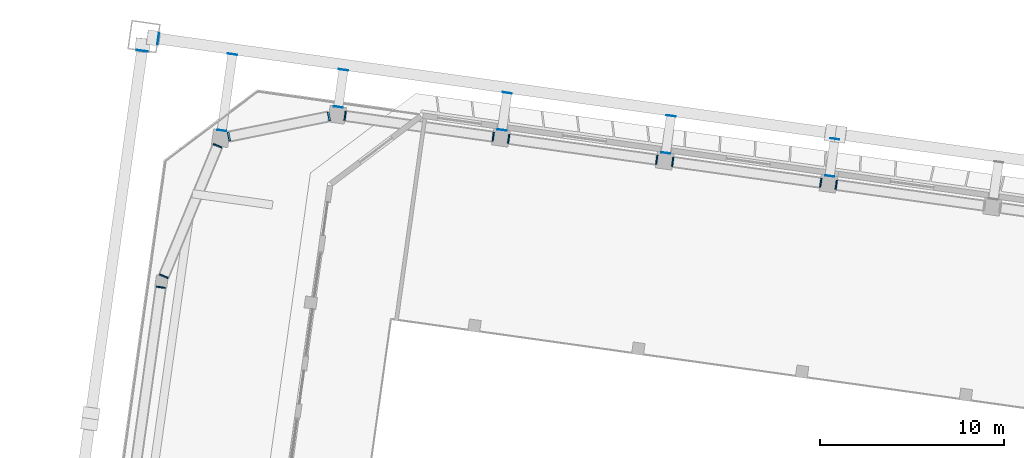
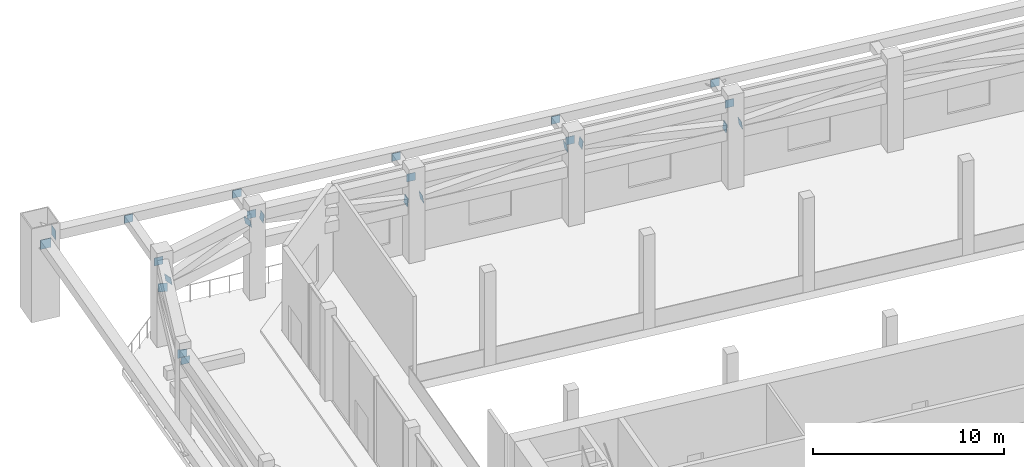
# One storey, part 31 of 41: 24 discrete accessories.
"""IFC4 building model written with IfcOpenShell, lengths in metres."""

from ifc_helpers import new_model, si_unit, direction, frame, origin, origin_2d, place, context, subcontext, project, spatial, rectangle, extrude, material, material_profile, profile_set, type_object, element, save


model = new_model("IFC4")

# Units and contexts
model_context = context("Model", 3, precision=1e-05, world=origin(), true_north=direction((0.0, 1.0)))
body_context = subcontext(model_context, "Body", "Model", "MODEL_VIEW")
ifc_project = project(units=[si_unit("LENGTHUNIT", "METRE"), si_unit("AREAUNIT", "SQUARE_METRE"), si_unit("VOLUMEUNIT", "CUBIC_METRE"), si_unit("PLANEANGLEUNIT", "RADIAN"), si_unit("MASSUNIT", "GRAM", prefix="KILO")], contexts=[model_context])

# Site, building, storey
site_placement = place(None, origin())
site = spatial("IfcSite", under=ifc_project, at=site_placement, CompositionType="ELEMENT")
building_placement = place(site_placement, origin())
building = spatial("IfcBuilding", under=site, at=building_placement, Name="Mirante Cascada Hotel Towers", CompositionType="ELEMENT")
storey_placement = place(building_placement, frame((0.0, 0.0, 92.7)))
storey = spatial("IfcBuildingStorey", under=building, at=storey_placement, Name="L20", CompositionType="ELEMENT", Elevation=92.7)

# Discrete accessories
ifc_material_1 = material(Name="Steel ASTM A572 Gr 50", Category="steel")
ifc_material_profile_1 = material_profile(ifc_material_1, rectangle(XDim=0.5, YDim=0.5, at=origin_2d()), Name="Connection plate 500x500x25 ASTM A572 Gr 50")
ifc_profile_set_1 = profile_set([ifc_material_profile_1], Name="Steel ASTM A572 Gr 50")
discrete_accessory_type_1 = type_object("IfcDiscreteAccessoryType", Name="Connection plate 500x500x25 ASTM A572 Gr 50", PredefinedType="BRACKET", material=ifc_profile_set_1)
for number, where, z_axis, x_axis, name in (
    (1, (-62.6717, 21.0211, 3.7517), (-0.9812804, 0.1361777, -0.1361777), (-0.1374582, -0.9905076, 0.0), "Connection plate BT20D"),
    (2, (-63.5233, 21.1407, 3.7483), (-0.9807378, 0.1401054, 0.1361024), (-0.1414214, -0.9899495, 0.0), "Connection plate BT20D"),
    (3, (-71.5841, 22.2736, 4.8483), (-0.9807378, 0.1401054, 0.1361024), (-0.1414214, -0.9899495, 0.0), "Connection plate BT20D"),
    (4, (-72.4357, 22.3933, 4.8517), (-0.9807378, 0.1401054, -0.1361024), (-0.1414214, -0.9899495, 0.0), "Connection plate BT20D"),
    (5, (-80.4965, 23.5262, 3.7517), (-0.9812804, 0.1361777, -0.1361777), (-0.1374582, -0.9905076, 0.0), "Connection plate BT20D"),
    (6, (-81.3481, 23.6459, 3.7483), (-0.9812804, 0.1361777, 0.1361777), (-0.1374582, -0.9905076, 0.0), "Connection plate BT20D"),
    (7, (-89.4089, 24.7787, 4.8483), (-0.9807378, 0.1401054, 0.1361024), (-0.1414214, -0.9899495, 0.0), "Connection plate BT20D"),
    (8, (-90.283, 24.7522, 4.8524), (-0.9625457, -0.1917104, -0.1917104), (0.1953335, -0.9807369, 0.0), "Connection plate BT20D"),
):
    element("IfcDiscreteAccessory", number, at=place(storey_placement, frame(where, z_axis=z_axis, x_axis=x_axis)), inside=storey, type_object=discrete_accessory_type_1, Name=name, PredefinedType="BRACKET", context=body_context, shape_type="SweptSolid", body=[
        extrude(rectangle(XDim=0.5, YDim=0.5, at=origin_2d()), origin(), (0.0, 0.0, 1.0), 0.025),
    ])
discrete_accessory_1_placement = place(storey_placement, frame((-95.7267, 23.6531, 3.7524), z_axis=(-0.9618019, -0.1955531, -0.1915622), x_axis=(0.199243, -0.9799501, 0.0)))
element("IfcDiscreteAccessory", 9, at=discrete_accessory_1_placement, inside=storey, type_object=discrete_accessory_type_1, Name="Connection plate BT20D", PredefinedType="BRACKET", context=body_context, shape_type="SweptSolid", body=[
    extrude(rectangle(XDim=0.5, YDim=0.5, at=origin_2d()), origin(), (0.0, 0.0, 1.0), 0.0251),
])
discrete_accessory_2_placement = place(storey_placement, frame((-96.3516, 23.1606, 3.7482), z_axis=(-0.3757806, -0.9154655, 0.143916), x_axis=(0.9250959, -0.3797337, 0.0)))
element("IfcDiscreteAccessory", 10, at=discrete_accessory_2_placement, inside=storey, type_object=discrete_accessory_type_1, Name="Connection plate BT20D", PredefinedType="BRACKET", context=body_context, shape_type="SweptSolid", body=[
    extrude(rectangle(XDim=0.5, YDim=0.5, at=origin_2d()), origin(), (0.0, 0.0, 1.0), 0.025),
])
discrete_accessory_3_placement = place(storey_placement, frame((-99.2791, 16.0602, 4.8482), z_axis=(-0.379206, -0.9140861, 0.1436991), x_axis=(0.9236725, -0.3831829, 0.0)))
element("IfcDiscreteAccessory", 11, at=discrete_accessory_3_placement, inside=storey, type_object=discrete_accessory_type_1, Name="Connection plate BT20D", PredefinedType="BRACKET", context=body_context, shape_type="SweptSolid", body=[
    extrude(rectangle(XDim=0.5, YDim=0.5, at=origin_2d()), origin(), (0.0, 0.0, 1.0), 0.0251),
])
discrete_accessory_4_placement = place(storey_placement, frame((-99.4449, 15.4673, 4.8512), z_axis=(-0.1357385, -0.9861006, -0.0958154), x_axis=(0.9906585, -0.136366, 0.0)))
element("IfcDiscreteAccessory", 12, at=discrete_accessory_4_placement, inside=storey, type_object=discrete_accessory_type_1, Name="Connection plate BT20D", PredefinedType="BRACKET", context=body_context, shape_type="SweptSolid", body=[
    extrude(rectangle(XDim=0.5, YDim=0.5, at=origin_2d()), origin(), (0.0, 0.0, 1.0), 0.025),
])
discrete_accessory_5_placement = place(storey_placement, frame((-63.0516, 21.4961, 4.85), z_axis=(0.136366, 0.9906585, 0.0), x_axis=(-0.9906585, 0.136366, 0.0)))
element("IfcDiscreteAccessory", 13, at=discrete_accessory_5_placement, inside=storey, type_object=discrete_accessory_type_1, Name="Connection plate TIE", PredefinedType="BRACKET", context=body_context, shape_type="SweptSolid", body=[
    extrude(rectangle(XDim=0.5, YDim=0.5, at=origin_2d()), origin(), (0.0, 0.0, 1.0), 0.0249),
])
for number, where, z_axis, x_axis, name in (
    (14, (-62.7677, 23.5162, 4.85), (0.1397442, 0.9901876, 0.0), (-0.9901876, 0.1397442, 0.0), "Connection plate TIE"),
    (15, (-71.964, 22.7486, 4.85), (0.1358263, 0.9907327, 0.0), (-0.9907327, 0.1358263, 0.0), "Connection plate TIE"),
):
    element("IfcDiscreteAccessory", number, at=place(storey_placement, frame(where, z_axis=z_axis, x_axis=x_axis)), inside=storey, type_object=discrete_accessory_type_1, Name=name, PredefinedType="BRACKET", context=body_context, shape_type="SweptSolid", body=[
        extrude(rectangle(XDim=0.5, YDim=0.5, at=origin_2d()), origin(), (0.0, 0.0, 1.0), 0.025),
    ])
for number, where, z_axis, x_axis, name in (
    (16, (-71.6801, 24.7688, 4.85), (0.136366, 0.9906585, 0.0), (-0.9906585, 0.136366, 0.0), "Connection plate TIE"),
    (17, (-80.8765, 24.0012, 4.85), (0.1402989, 0.9901092, 0.0), (-0.9901092, 0.1402989, 0.0), "Connection plate TIE"),
):
    element("IfcDiscreteAccessory", number, at=place(storey_placement, frame(where, z_axis=z_axis, x_axis=x_axis)), inside=storey, type_object=discrete_accessory_type_1, Name=name, PredefinedType="BRACKET", context=body_context, shape_type="SweptSolid", body=[
        extrude(rectangle(XDim=0.5, YDim=0.5, at=origin_2d()), origin(), (0.0, 0.0, 1.0), 0.0249),
    ])
for number, where, z_axis, x_axis, name in (
    (18, (-80.5925, 26.0213, 4.85), (0.1358263, 0.9907327, 0.0), (-0.9907327, 0.1358263, 0.0), "Connection plate TIE"),
    (19, (-89.7889, 25.2537, 4.85), (0.1397442, 0.9901876, 0.0), (-0.9901876, 0.1397442, 0.0), "Connection plate TIE"),
):
    element("IfcDiscreteAccessory", number, at=place(storey_placement, frame(where, z_axis=z_axis, x_axis=x_axis)), inside=storey, type_object=discrete_accessory_type_1, Name=name, PredefinedType="BRACKET", context=body_context, shape_type="SweptSolid", body=[
        extrude(rectangle(XDim=0.5, YDim=0.5, at=origin_2d()), origin(), (0.0, 0.0, 1.0), 0.025),
    ])
discrete_accessory_6_placement = place(storey_placement, frame((-89.505, 27.2739, 4.85), z_axis=(0.1402989, 0.9901092, 0.0), x_axis=(-0.9901092, 0.1402989, 0.0)))
element("IfcDiscreteAccessory", 20, at=discrete_accessory_6_placement, inside=storey, type_object=discrete_accessory_type_1, Name="Connection plate TIE", PredefinedType="BRACKET", context=body_context, shape_type="SweptSolid", body=[
    extrude(rectangle(XDim=0.5, YDim=0.5, at=origin_2d()), origin(), (0.0, 0.0, 1.0), 0.0249),
])
for number, where, z_axis, x_axis, name in (
    (21, (-96.1287, 23.9736, 4.85), (0.1358263, 0.9907327, 0.0), (-0.9907327, 0.1358263, 0.0), "Connection plate TIE"),
    (22, (-95.5456, 28.1228, 4.85), (0.1397442, 0.9901876, 0.0), (-0.9901876, 0.1397442, 0.0), "Connection plate TIE"),
):
    element("IfcDiscreteAccessory", number, at=place(storey_placement, frame(where, z_axis=z_axis, x_axis=x_axis)), inside=storey, type_object=discrete_accessory_type_1, Name=name, PredefinedType="BRACKET", context=body_context, shape_type="SweptSolid", body=[
        extrude(rectangle(XDim=0.5, YDim=0.5, at=origin_2d()), origin(), (0.0, 0.0, 1.0), 0.025),
    ])
ifc_material_2 = material(Name="Steel ASTM A572 Gr 50", Category="steel")
ifc_material_profile_2 = material_profile(ifc_material_2, rectangle(XDim=0.6, YDim=0.6, at=origin_2d()), Name="Connection plate 600x600x25 ASTM A572 Gr 50")
ifc_profile_set_2 = profile_set([ifc_material_profile_2], Name="Steel ASTM A572 Gr 50")
discrete_accessory_type_2 = type_object("IfcDiscreteAccessoryType", Name="Connection plate 600x600x25 ASTM A572 Gr 50", PredefinedType="BRACKET", material=ifc_profile_set_2)
discrete_accessory_7_placement = place(storey_placement, frame((-99.5724, 28.9841, 4.85), z_axis=(-0.9901876, 0.1397442, 0.0), x_axis=(-0.1397442, -0.9901876, 0.0)))
element("IfcDiscreteAccessory", 23, at=discrete_accessory_7_placement, inside=storey, type_object=discrete_accessory_type_2, Name="Connection plate NCH", PredefinedType="BRACKET", context=body_context, shape_type="SweptSolid", body=[
    extrude(rectangle(XDim=0.6, YDim=0.6, at=origin_2d()), origin(), (0.0, 0.0, 1.0), 0.025),
])
discrete_accessory_8_placement = place(storey_placement, frame((-100.4675, 28.3097, 4.85), z_axis=(0.1402989, 0.9901092, 0.0), x_axis=(-0.9901092, 0.1402989, 0.0)))
element("IfcDiscreteAccessory", 24, at=discrete_accessory_8_placement, inside=storey, type_object=discrete_accessory_type_2, Name="Connection plate NCH", PredefinedType="BRACKET", context=body_context, shape_type="SweptSolid", body=[
    extrude(rectangle(XDim=0.6, YDim=0.6, at=origin_2d()), origin(), (0.0, 0.0, 1.0), 0.0249),
])

save(model, "model.ifc")
